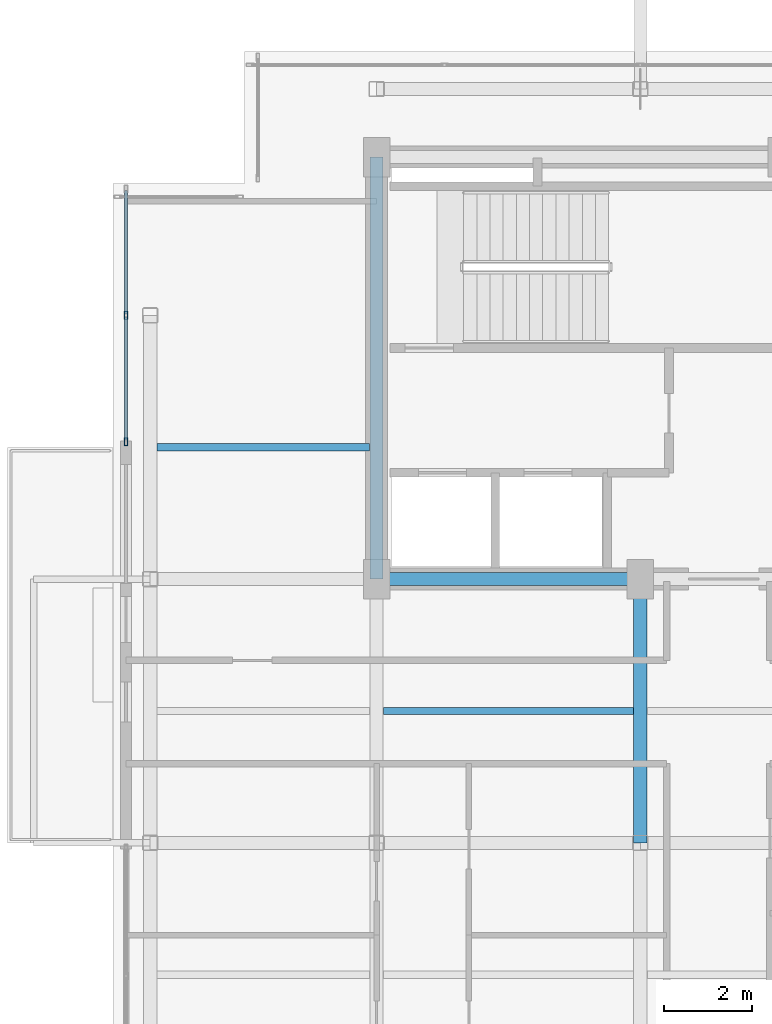
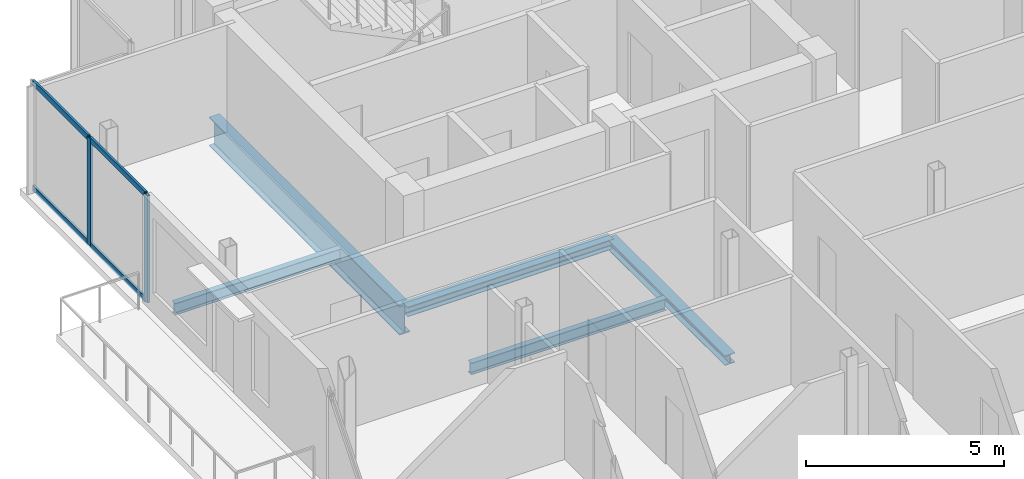
# One storey, part 7 of 18: 6 members, 5 beams, 1 element without a shape of its own.
"""IFC4 building model written with IfcOpenShell, lengths in metres."""

from ifc_helpers import new_model, si_unit, direction, frame, origin, origin_2d, place, context, subcontext, project, spatial, hollow_rectangle, i_section, extrude, material, layer, layer_set, material_profile, profile_set, type_object, element, aggregate, save


model = new_model("IFC4")

# Units and contexts
model_context = context("Model", 3, precision=1e-05, world=origin(), true_north=direction((0.0, 1.0)))
body_context = subcontext(model_context, "Body", "Model", "MODEL_VIEW")
ifc_project = project(units=[si_unit("LENGTHUNIT", "METRE"), si_unit("AREAUNIT", "SQUARE_METRE"), si_unit("VOLUMEUNIT", "CUBIC_METRE"), si_unit("PLANEANGLEUNIT", "RADIAN"), si_unit("MASSUNIT", "GRAM", prefix="KILO"), si_unit("THERMODYNAMICTEMPERATUREUNIT", "KELVIN"), si_unit("POWERUNIT", "WATT")], contexts=[model_context])

# Site, building, storey
site_placement = place(None, origin())
site = spatial("IfcSite", under=ifc_project, at=site_placement, CompositionType="ELEMENT")
building_placement = place(site_placement, origin())
building = spatial("IfcBuilding", under=site, at=building_placement, Name="Svarakhadi Broadcast Tower", CompositionType="ELEMENT")
storey_placement = place(building_placement, frame((0.0, 0.0, 267.699951171875)))
storey = spatial("IfcBuildingStorey", under=building, at=storey_placement, Name="L67", CompositionType="ELEMENT", Elevation=267.699951171875)

# Beams
ifc_material_1 = material(Name="Steel S355J2 (IS 2062 E350C)", Category="steel")
ifc_material_profile_1 = material_profile(ifc_material_1, i_section(OverallWidth=0.169921875, OverallDepth=0.360107421875, WebThickness=0.008056640625, FlangeThickness=0.0126953125, FilletRadius=0.01806640625, at=origin_2d()), Name="NPB 360x170x57")
ifc_profile_set_1 = profile_set([ifc_material_profile_1], Name="Steel S355J2 (IS 2062 E350C)")
beam_type_1 = type_object("IfcBeamType", Name="Beam_NPB360", PredefinedType="BEAM", material=ifc_profile_set_1)
beam_1_placement = place(storey_placement, frame((1.010009765625, 21.0, -0.3798828125), z_axis=(1.0, 0.0, 0.0), x_axis=(0.0, 1.0, 0.0)))
element("IfcBeam", 1, at=beam_1_placement, inside=storey, type_object=beam_type_1, Name="L67 Secondary Composite Beam SB003", PredefinedType="BEAM", context=body_context, shape_type="SweptSolid", body=[
    extrude(i_section(OverallWidth=0.169921875, OverallDepth=0.360107421875, WebThickness=0.008056640625, FlangeThickness=0.0126953125, FilletRadius=0.01806640625, at=origin_2d()), origin(), (0.0, 0.0, 1.0), 4.830078125),
])
beam_2_placement = place(storey_placement, frame((6.159912109375, 15.0, -0.3798828125), z_axis=(1.0, 0.0, 0.0), x_axis=(0.0, 1.0, 0.0)))
element("IfcBeam", 2, at=beam_2_placement, inside=storey, type_object=beam_type_1, Name="L67 Secondary Composite Beam SB006", PredefinedType="BEAM", context=body_context, shape_type="SweptSolid", body=[
    extrude(i_section(OverallWidth=0.169921875, OverallDepth=0.360107421875, WebThickness=0.008056640625, FlangeThickness=0.0126953125, FilletRadius=0.01806640625, at=origin_2d()), origin(), (0.0, 0.0, 1.0), 5.68017578125),
])

# Curtain wall, members
ifc_material_2 = material(Name="Anodised Bronze Aluminium AA 6063-T6", Category="aluminium")
ifc_layer = layer(ifc_material_2, 0.179931640625)
ifc_layer_set = layer_set([ifc_layer], Name="Anodised Bronze Aluminium AA 6063-T6")
curtain_wall_type = type_object("IfcCurtainWallType", Name="CW_Sys_05", PredefinedType="NOTDEFINED", material=ifc_layer_set)
curtain_wall_placement = place(storey_placement, origin())
curtain_wall = element("IfcCurtainWall", 3, at=curtain_wall_placement, inside=storey, type_object=curtain_wall_type, Name="L67 West Curtain Wall 03", PredefinedType="NOTDEFINED")
ifc_material_profile_2 = material_profile(ifc_material_2, hollow_rectangle(XDim=0.070068359375, YDim=0.179931640625, WallThickness=0.005615234375, at=origin_2d()), Name="ALU MULLION 180x70x6")
ifc_profile_set_2 = profile_set([ifc_material_profile_2], Name="Anodised Bronze Aluminium AA 6063-T6")
member_type_1 = type_object("IfcMemberType", Name="CW_Sys_05_Mul", PredefinedType="MULLION", material=ifc_profile_set_2)
member_1_placement = place(storey_placement, frame((0.300048828125, 21.125, 0.0), z_axis=(0.0, 0.0, 1.0), x_axis=(-1.0, 0.0, 0.0)))
member_1 = element("IfcMember", 4, at=member_1_placement, type_object=member_type_1, Name="CW-05 mullion 1", PredefinedType="MULLION", context=body_context, shape_type="SweptSolid", body=[
    extrude(hollow_rectangle(XDim=0.070068359375, YDim=0.179931640625, WallThickness=0.005615234375, at=origin_2d()), origin(), (0.0, 0.0, 1.0), 3.300048828125),
])
member_2_placement = place(storey_placement, frame((0.300048828125, 24.0, 0.0), z_axis=(0.0, 0.0, 1.0), x_axis=(-1.0, 0.0, 0.0)))
member_2 = element("IfcMember", 5, at=member_2_placement, type_object=member_type_1, Name="CW-05 mullion 2", PredefinedType="MULLION", context=body_context, shape_type="SweptSolid", body=[
    extrude(hollow_rectangle(XDim=0.070068359375, YDim=0.179931640625, WallThickness=0.005615234375, at=origin_2d()), origin(), (0.0, 0.0, 1.0), 3.300048828125),
])
ifc_material_profile_3 = material_profile(ifc_material_2, hollow_rectangle(XDim=0.06494140625, YDim=0.1650390625, WallThickness=0.0048828125, at=origin_2d()), Name="ALU TRANSOM 165x65x5")
ifc_profile_set_3 = profile_set([ifc_material_profile_3], Name="Anodised Bronze Aluminium AA 6063-T6")
member_type_2 = type_object("IfcMemberType", Name="CW_Sys_05_Trn", PredefinedType="USERDEFINED", material=ifc_profile_set_3)
member_3_placement = place(storey_placement, frame((0.300048828125, 21.159912109375, 0.032470703125), z_axis=(0.0, 1.0, 0.0), x_axis=(-1.0, 0.0, 0.0)))
member_3 = element("IfcMember", 6, at=member_3_placement, type_object=member_type_2, Name="CW-05 transom 1.1", ObjectType="TRANSOM", PredefinedType="USERDEFINED", context=body_context, shape_type="SweptSolid", body=[
    extrude(hollow_rectangle(XDim=0.06494140625, YDim=0.1650390625, WallThickness=0.0048828125, at=origin_2d()), origin(), (0.0, 0.0, 1.0), 2.80517578125),
])
member_4_placement = place(storey_placement, frame((0.300048828125, 21.159912109375, 3.267578125), z_axis=(0.0, 1.0, 0.0), x_axis=(-1.0, 0.0, 0.0)))
member_4 = element("IfcMember", 7, at=member_4_placement, type_object=member_type_2, Name="CW-05 transom 1.2", ObjectType="TRANSOM", PredefinedType="USERDEFINED", context=body_context, shape_type="SweptSolid", body=[
    extrude(hollow_rectangle(XDim=0.06494140625, YDim=0.1650390625, WallThickness=0.0048828125, at=origin_2d()), origin(), (0.0, 0.0, 1.0), 2.80517578125),
])
member_5_placement = place(storey_placement, frame((0.300048828125, 24.034912109375, 0.032470703125), z_axis=(0.0, 1.0, 0.0), x_axis=(-1.0, 0.0, 0.0)))
member_5 = element("IfcMember", 8, at=member_5_placement, type_object=member_type_2, Name="CW-05 transom 2.1", ObjectType="TRANSOM", PredefinedType="USERDEFINED", context=body_context, shape_type="SweptSolid", body=[
    extrude(hollow_rectangle(XDim=0.06494140625, YDim=0.1650390625, WallThickness=0.0048828125, at=origin_2d()), origin(), (0.0, 0.0, 1.0), 2.80517578125),
])
member_6_placement = place(storey_placement, frame((0.300048828125, 24.034912109375, 3.267578125), z_axis=(0.0, 1.0, 0.0), x_axis=(-1.0, 0.0, 0.0)))
member_6 = element("IfcMember", 9, at=member_6_placement, type_object=member_type_2, Name="CW-05 transom 2.2", ObjectType="TRANSOM", PredefinedType="USERDEFINED", context=body_context, shape_type="SweptSolid", body=[
    extrude(hollow_rectangle(XDim=0.06494140625, YDim=0.1650390625, WallThickness=0.0048828125, at=origin_2d()), origin(), (0.0, 0.0, 1.0), 2.80517578125),
])
aggregate(curtain_wall, [member_1, member_2, member_3, member_4, member_5, member_6])

# Beams
ifc_material_profile_4 = material_profile(ifc_material_1, i_section(OverallWidth=0.300048828125, OverallDepth=0.300048828125, WebThickness=0.010986328125, FlangeThickness=0.01904296875, FilletRadius=0.027099609375, at=origin_2d()), Name="WPB 300x300x117")
ifc_profile_set_4 = profile_set([ifc_material_profile_4], Name="Steel S355J2 (IS 2062 E350C)")
beam_type_2 = type_object("IfcBeamType", Name="Girder_WPB300", PredefinedType="USERDEFINED", material=ifc_profile_set_4)
for number, where, z_axis, x_axis, name in (
    (10, (6.0, 18.0, -0.349853515625), (1.0, 0.0, 0.0), (0.0, 1.0, 0.0), "L67 Primary E-W Girder G018"),
    (11, (12.0, 12.0, -0.349853515625), (0.0, 1.0, 0.0), (-1.0, 0.0, 0.0), "L67 Primary N-S Girder G035"),
):
    element("IfcBeam", number, at=place(storey_placement, frame(where, z_axis=z_axis, x_axis=x_axis)), inside=storey, type_object=beam_type_2, Name=name, ObjectType="GIRDER", PredefinedType="USERDEFINED", context=body_context, shape_type="SweptSolid", body=[
        extrude(i_section(OverallWidth=0.300048828125, OverallDepth=0.300048828125, WebThickness=0.010986328125, FlangeThickness=0.01904296875, FilletRadius=0.027099609375, at=origin_2d()), origin(), (0.0, 0.0, 1.0), 6.0),
    ])
ifc_material_3 = material(Name="Steel S460ML (IS 2062 E450BR)", Category="steel")
ifc_material_profile_5 = material_profile(ifc_material_3, i_section(OverallWidth=0.300048828125, OverallDepth=0.89990234375, WebThickness=0.0185546875, FlangeThickness=0.034912109375, FilletRadius=0.030029296875, at=origin_2d()), Name="WPB 900x300x291")
ifc_profile_set_5 = profile_set([ifc_material_profile_5], Name="Steel S460ML (IS 2062 E450BR)")
beam_type_3 = type_object("IfcBeamType", Name="Girder_WPB900", PredefinedType="USERDEFINED", material=ifc_profile_set_5)
beam_3_placement = place(storey_placement, frame((6.0, 18.0, -0.64990234375), z_axis=(0.0, 1.0, 0.0), x_axis=(-1.0, 0.0, 0.0)))
element("IfcBeam", 12, at=beam_3_placement, inside=storey, type_object=beam_type_3, Name="L67 Primary N-S Girder G032", ObjectType="GIRDER", PredefinedType="USERDEFINED", context=body_context, shape_type="SweptSolid", body=[
    extrude(i_section(OverallWidth=0.300048828125, OverallDepth=0.89990234375, WebThickness=0.0185546875, FlangeThickness=0.034912109375, FilletRadius=0.030029296875, at=origin_2d()), origin(), (0.0, 0.0, 1.0), 9.60009765625),
])

save(model, "model.ifc")
